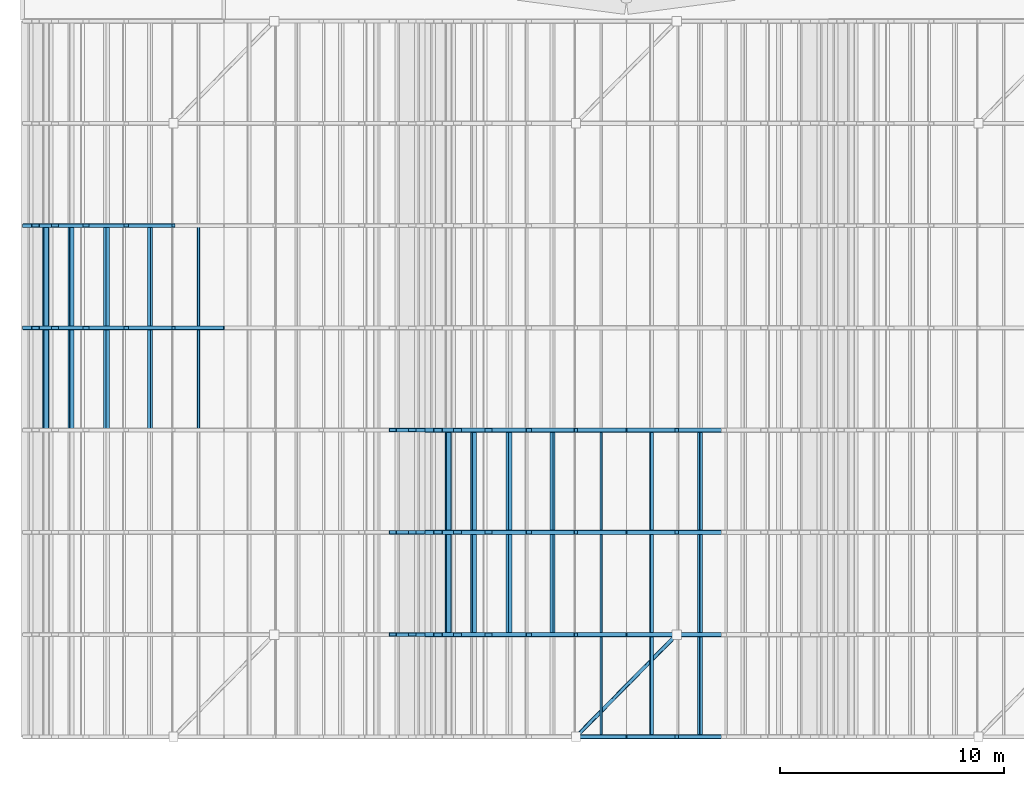
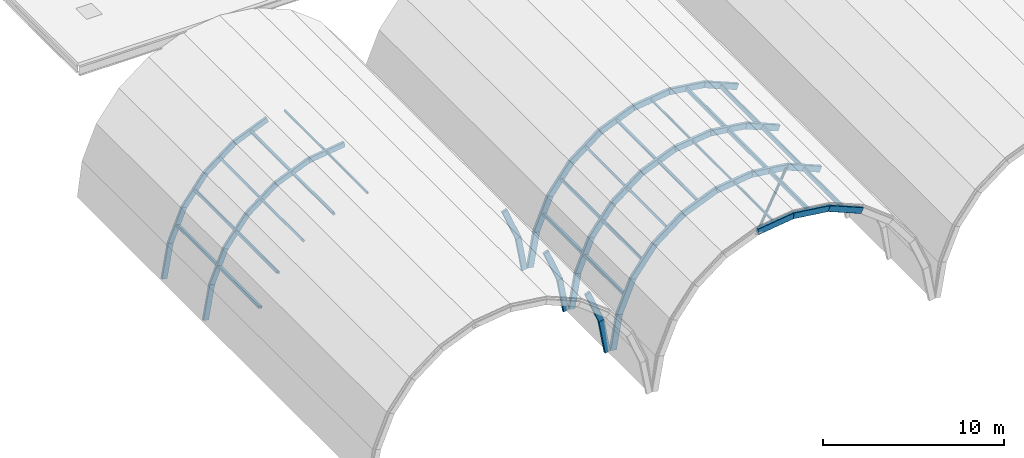
# One storey, part 2 of 25: 72 members.
"""IFC4 building model written with IfcOpenShell, lengths in metres."""

from ifc_helpers import new_model, si_unit, direction, frame, origin, origin_2d, place, context, subcontext, project, spatial, hollow_rectangle, hollow_circle, extrude, material, material_profile, profile_set, type_object, element, save


model = new_model("IFC4")

# Units and contexts
model_context = context("Model", 3, precision=1e-05, world=origin(), true_north=direction((0.0, 1.0)))
body_context = subcontext(model_context, "Body", "Model", "MODEL_VIEW")
ifc_project = project(units=[si_unit("LENGTHUNIT", "METRE"), si_unit("AREAUNIT", "SQUARE_METRE"), si_unit("VOLUMEUNIT", "CUBIC_METRE"), si_unit("PLANEANGLEUNIT", "RADIAN"), si_unit("MASSUNIT", "GRAM", prefix="KILO")], contexts=[model_context])

# Site, building, storey
site_placement = place(None, origin())
site = spatial("IfcSite", under=ifc_project, at=site_placement, CompositionType="ELEMENT")
building_placement = place(site_placement, origin())
building = spatial("IfcBuilding", under=site, at=building_placement, Name="Marnock Terrace Opera House", CompositionType="ELEMENT")
storey_placement = place(building_placement, frame((0.0, 0.0, 28.199951171875)))
storey = spatial("IfcBuildingStorey", under=building, at=storey_placement, Name="RF", CompositionType="ELEMENT", Elevation=28.199951171875)

# Members
ifc_material = material(Name="Cold-formed Steel Grade C350L0 (AS/NZS 1163)", Category="steel")
ifc_material_profile_1 = material_profile(ifc_material, hollow_circle(Radius=0.084228515625, WallThickness=0.007080078125, at=origin_2d()))
ifc_profile_set_1 = profile_set([ifc_material_profile_1], Name="Cold-formed Steel Grade C350L0 (AS/NZS 1163)")
member_type_1 = type_object("IfcMemberType", Name="MEM-BRACE-CHS2", PredefinedType="BRACE", material=ifc_profile_set_1)
member_1_placement = place(storey_placement, frame((79.748291015625, 8.0, -0.596435546875), z_axis=(0.701779574727, 0.712394152486, 0.0), x_axis=(-0.712394152486, 0.701779574727, 0.0)))
element("IfcMember", 1, at=member_1_placement, inside=storey, type_object=member_type_1, Name="Barrel vault 2 roof wind brace", PredefinedType="BRACE", context=body_context, shape_type="SweptSolid", body=[
    extrude(hollow_circle(Radius=0.084228515625, WallThickness=0.007080078125, at=origin_2d()), origin(), (0.0, 0.0, 1.0), 6.417236328125),
])
ifc_material_profile_2 = material_profile(ifc_material, hollow_rectangle(XDim=0.10009765625, YDim=0.14990234375, WallThickness=0.006103515625, InnerFilletRadius=0.006103515625, OuterFilletRadius=0.011962890625, at=origin_2d()))
ifc_profile_set_2 = profile_set([ifc_material_profile_2], Name="Cold-formed Steel Grade C350L0 (AS/NZS 1163)")
member_type_2 = type_object("IfcMemberType", Name="MEM-ROOF-GIRT", PredefinedType="PURLIN", material=ifc_profile_set_2)
member_2_placement = place(storey_placement, frame((62.8681640625, 21.71435546875, -0.402099609375), z_axis=(0.0, 1.0, 0.0), x_axis=(-0.991444861374, 0.0, -0.13052619222)))
element("IfcMember", 2, at=member_2_placement, inside=storey, type_object=member_type_2, Name="Barrel vault 1 bay 4 longitudinal purlin", PredefinedType="PURLIN", context=body_context, shape_type="SweptSolid", body=[
    extrude(hollow_rectangle(XDim=0.10009765625, YDim=0.14990234375, WallThickness=0.006103515625, InnerFilletRadius=0.006103515625, OuterFilletRadius=0.011962890625, at=origin_2d()), origin(), (0.0, 0.0, 1.0), 4.5712890625),
])
for number, where, z_axis, x_axis, name in (
    (3, (62.8681640625, 26.28564453125, -0.402099609375), (0.0, 1.0, 0.0), (-0.991444861374, 0.0, -0.13052619222), "Barrel vault 1 bay 5 longitudinal purlin"),
    (4, (80.8681640625, 8.0, -0.402099609375), (0.0, 1.0, 0.0), (-0.991444861374, 0.0, -0.13052619222), "Barrel vault 2 bay 1 longitudinal purlin"),
):
    element("IfcMember", number, at=place(storey_placement, frame(where, z_axis=z_axis, x_axis=x_axis)), inside=storey, type_object=member_type_2, Name=name, PredefinedType="PURLIN", context=body_context, shape_type="SweptSolid", body=[
        extrude(hollow_rectangle(XDim=0.10009765625, YDim=0.14990234375, WallThickness=0.006103515625, InnerFilletRadius=0.006103515625, OuterFilletRadius=0.011962890625, at=origin_2d()), origin(), (0.0, 0.0, 1.0), 4.571533203125),
    ])
member_3_placement = place(storey_placement, frame((80.8681640625, 12.571533203125, -0.402099609375), z_axis=(0.0, 1.0, 0.0), x_axis=(-0.991444861374, 0.0, -0.13052619222)))
element("IfcMember", 5, at=member_3_placement, inside=storey, type_object=member_type_2, Name="Barrel vault 2 bay 2 longitudinal purlin", PredefinedType="PURLIN", context=body_context, shape_type="SweptSolid", body=[
    extrude(hollow_rectangle(XDim=0.10009765625, YDim=0.14990234375, WallThickness=0.006103515625, InnerFilletRadius=0.006103515625, OuterFilletRadius=0.011962890625, at=origin_2d()), origin(), (0.0, 0.0, 1.0), 4.5712890625),
])
member_4_placement = place(storey_placement, frame((80.8681640625, 17.142822265625, -0.402099609375), z_axis=(0.0, 1.0, 0.0), x_axis=(-0.991444861374, 0.0, -0.13052619222)))
element("IfcMember", 6, at=member_4_placement, inside=storey, type_object=member_type_2, Name="Barrel vault 2 bay 3 longitudinal purlin", PredefinedType="PURLIN", context=body_context, shape_type="SweptSolid", body=[
    extrude(hollow_rectangle(XDim=0.10009765625, YDim=0.14990234375, WallThickness=0.006103515625, InnerFilletRadius=0.006103515625, OuterFilletRadius=0.011962890625, at=origin_2d()), origin(), (0.0, 0.0, 1.0), 4.571533203125),
])
ifc_material_profile_3 = material_profile(ifc_material, hollow_rectangle(XDim=0.199951171875, YDim=0.39990234375, WallThickness=0.012451171875, InnerFilletRadius=0.012451171875, OuterFilletRadius=0.02490234375, at=origin_2d()))
ifc_profile_set_3 = profile_set([ifc_material_profile_3], Name="Cold-formed Steel Grade C350L0 (AS/NZS 1163)")
member_type_3 = type_object("IfcMemberType", Name="MEM-VAULT-ARCH1", PredefinedType="CHORD", material=ifc_profile_set_3)
for number, where, z_axis, x_axis, name in (
    (7, (79.7431640625, 8.0, -0.5771484375), (0.991444801521, 0.0, 0.130526646847), (0.0, 1.0, 0.0), "Barrel vault 2 station 1 arch chord 6"),
    (8, (82.0, 8.0, -0.280029296875), (0.991444801521, 0.0, -0.130526646847), (0.0, 1.0, 0.0), "Barrel vault 2 station 1 arch chord 7"),
):
    element("IfcMember", number, at=place(storey_placement, frame(where, z_axis=z_axis, x_axis=x_axis)), inside=storey, type_object=member_type_3, Name=name, PredefinedType="CHORD", context=body_context, shape_type="SweptSolid", body=[
        extrude(hollow_rectangle(XDim=0.199951171875, YDim=0.39990234375, WallThickness=0.012451171875, InnerFilletRadius=0.012451171875, OuterFilletRadius=0.02490234375, at=origin_2d()), origin(), (0.0, 0.0, 1.0), 2.2763671875),
    ])
member_5_placement = place(storey_placement, frame((84.2568359375, 8.0, -0.5771484375), z_axis=(0.923896587744, 0.0, -0.382642254796), x_axis=(0.0, 1.0, 0.0)))
element("IfcMember", 9, at=member_5_placement, inside=storey, type_object=member_type_3, Name="Barrel vault 2 station 1 arch chord 8", PredefinedType="CHORD", context=body_context, shape_type="SweptSolid", body=[
    extrude(hollow_rectangle(XDim=0.199951171875, YDim=0.39990234375, WallThickness=0.012451171875, InnerFilletRadius=0.012451171875, OuterFilletRadius=0.02490234375, at=origin_2d()), origin(), (0.0, 0.0, 1.0), 2.276611328125),
])
member_6_placement = place(storey_placement, frame((73.179931640625, 12.571533203125, -9.0), z_axis=(0.173341635248, 0.0, 0.984861755522), x_axis=(0.0, 1.0, 0.0)))
element("IfcMember", 10, at=member_6_placement, inside=storey, type_object=member_type_3, Name="Barrel vault 2 station 2 arch chord 1", PredefinedType="CHORD", context=body_context, shape_type="SweptSolid", body=[
    extrude(hollow_rectangle(XDim=0.199951171875, YDim=0.39990234375, WallThickness=0.012451171875, InnerFilletRadius=0.012451171875, OuterFilletRadius=0.02490234375, at=origin_2d()), origin(), (0.0, 0.0, 1.0), 2.29150390625),
])
member_7_placement = place(storey_placement, frame((73.5771484375, 12.571533203125, -6.7431640625), z_axis=(0.382642254796, 0.0, 0.923896587744), x_axis=(0.0, 1.0, 0.0)))
element("IfcMember", 11, at=member_7_placement, inside=storey, type_object=member_type_3, Name="Barrel vault 2 station 2 arch chord 2", PredefinedType="CHORD", context=body_context, shape_type="SweptSolid", body=[
    extrude(hollow_rectangle(XDim=0.199951171875, YDim=0.39990234375, WallThickness=0.012451171875, InnerFilletRadius=0.012451171875, OuterFilletRadius=0.02490234375, at=origin_2d()), origin(), (0.0, 0.0, 1.0), 2.276611328125),
])
for number, where, z_axis, x_axis, name in (
    (12, (74.4482421875, 12.571533203125, -4.639892578125), (0.608766982702, 0.0, 0.793349078761), (0.0, 1.0, 0.0), "Barrel vault 2 station 2 arch chord 3"),
    (13, (75.833984375, 12.571533203125, -2.833984375), (0.793349078761, 0.0, 0.608766982702), (0.0, 1.0, 0.0), "Barrel vault 2 station 2 arch chord 4"),
):
    element("IfcMember", number, at=place(storey_placement, frame(where, z_axis=z_axis, x_axis=x_axis)), inside=storey, type_object=member_type_3, Name=name, PredefinedType="CHORD", context=body_context, shape_type="SweptSolid", body=[
        extrude(hollow_rectangle(XDim=0.199951171875, YDim=0.39990234375, WallThickness=0.012451171875, InnerFilletRadius=0.012451171875, OuterFilletRadius=0.02490234375, at=origin_2d()), origin(), (0.0, 0.0, 1.0), 2.2763671875),
    ])
member_8_placement = place(storey_placement, frame((77.639892578125, 12.571533203125, -1.4482421875), z_axis=(0.923896587744, 0.0, 0.382642254796), x_axis=(0.0, 1.0, 0.0)))
element("IfcMember", 14, at=member_8_placement, inside=storey, type_object=member_type_3, Name="Barrel vault 2 station 2 arch chord 5", PredefinedType="CHORD", context=body_context, shape_type="SweptSolid", body=[
    extrude(hollow_rectangle(XDim=0.199951171875, YDim=0.39990234375, WallThickness=0.012451171875, InnerFilletRadius=0.012451171875, OuterFilletRadius=0.02490234375, at=origin_2d()), origin(), (0.0, 0.0, 1.0), 2.276611328125),
])
for number, where, z_axis, x_axis, name in (
    (15, (79.7431640625, 12.571533203125, -0.5771484375), (0.991444801521, 0.0, 0.130526646847), (0.0, 1.0, 0.0), "Barrel vault 2 station 2 arch chord 6"),
    (16, (82.0, 12.571533203125, -0.280029296875), (0.991444801521, 0.0, -0.130526646847), (0.0, 1.0, 0.0), "Barrel vault 2 station 2 arch chord 7"),
):
    element("IfcMember", number, at=place(storey_placement, frame(where, z_axis=z_axis, x_axis=x_axis)), inside=storey, type_object=member_type_3, Name=name, PredefinedType="CHORD", context=body_context, shape_type="SweptSolid", body=[
        extrude(hollow_rectangle(XDim=0.199951171875, YDim=0.39990234375, WallThickness=0.012451171875, InnerFilletRadius=0.012451171875, OuterFilletRadius=0.02490234375, at=origin_2d()), origin(), (0.0, 0.0, 1.0), 2.2763671875),
    ])
member_9_placement = place(storey_placement, frame((84.2568359375, 12.571533203125, -0.5771484375), z_axis=(0.923896587744, 0.0, -0.382642254796), x_axis=(0.0, 1.0, 0.0)))
element("IfcMember", 17, at=member_9_placement, inside=storey, type_object=member_type_3, Name="Barrel vault 2 station 2 arch chord 8", PredefinedType="CHORD", context=body_context, shape_type="SweptSolid", body=[
    extrude(hollow_rectangle(XDim=0.199951171875, YDim=0.39990234375, WallThickness=0.012451171875, InnerFilletRadius=0.012451171875, OuterFilletRadius=0.02490234375, at=origin_2d()), origin(), (0.0, 0.0, 1.0), 2.276611328125),
])
member_10_placement = place(storey_placement, frame((73.179931640625, 17.142822265625, -9.0), z_axis=(0.173341635248, 0.0, 0.984861755522), x_axis=(0.0, 1.0, 0.0)))
element("IfcMember", 18, at=member_10_placement, inside=storey, type_object=member_type_3, Name="Barrel vault 2 station 3 arch chord 1", PredefinedType="CHORD", context=body_context, shape_type="SweptSolid", body=[
    extrude(hollow_rectangle(XDim=0.199951171875, YDim=0.39990234375, WallThickness=0.012451171875, InnerFilletRadius=0.012451171875, OuterFilletRadius=0.02490234375, at=origin_2d()), origin(), (0.0, 0.0, 1.0), 2.29150390625),
])
member_11_placement = place(storey_placement, frame((73.5771484375, 17.142822265625, -6.7431640625), z_axis=(0.382642254796, 0.0, 0.923896587744), x_axis=(0.0, 1.0, 0.0)))
element("IfcMember", 19, at=member_11_placement, inside=storey, type_object=member_type_3, Name="Barrel vault 2 station 3 arch chord 2", PredefinedType="CHORD", context=body_context, shape_type="SweptSolid", body=[
    extrude(hollow_rectangle(XDim=0.199951171875, YDim=0.39990234375, WallThickness=0.012451171875, InnerFilletRadius=0.012451171875, OuterFilletRadius=0.02490234375, at=origin_2d()), origin(), (0.0, 0.0, 1.0), 2.276611328125),
])
for number, where, z_axis, x_axis, name in (
    (20, (74.4482421875, 17.142822265625, -4.639892578125), (0.608766982702, 0.0, 0.793349078761), (0.0, 1.0, 0.0), "Barrel vault 2 station 3 arch chord 3"),
    (21, (75.833984375, 17.142822265625, -2.833984375), (0.793349078761, 0.0, 0.608766982702), (0.0, 1.0, 0.0), "Barrel vault 2 station 3 arch chord 4"),
):
    element("IfcMember", number, at=place(storey_placement, frame(where, z_axis=z_axis, x_axis=x_axis)), inside=storey, type_object=member_type_3, Name=name, PredefinedType="CHORD", context=body_context, shape_type="SweptSolid", body=[
        extrude(hollow_rectangle(XDim=0.199951171875, YDim=0.39990234375, WallThickness=0.012451171875, InnerFilletRadius=0.012451171875, OuterFilletRadius=0.02490234375, at=origin_2d()), origin(), (0.0, 0.0, 1.0), 2.2763671875),
    ])
member_12_placement = place(storey_placement, frame((77.639892578125, 17.142822265625, -1.4482421875), z_axis=(0.923896587744, 0.0, 0.382642254796), x_axis=(0.0, 1.0, 0.0)))
element("IfcMember", 22, at=member_12_placement, inside=storey, type_object=member_type_3, Name="Barrel vault 2 station 3 arch chord 5", PredefinedType="CHORD", context=body_context, shape_type="SweptSolid", body=[
    extrude(hollow_rectangle(XDim=0.199951171875, YDim=0.39990234375, WallThickness=0.012451171875, InnerFilletRadius=0.012451171875, OuterFilletRadius=0.02490234375, at=origin_2d()), origin(), (0.0, 0.0, 1.0), 2.276611328125),
])
for number, where, z_axis, x_axis, name in (
    (23, (79.7431640625, 17.142822265625, -0.5771484375), (0.991444801521, 0.0, 0.130526646847), (0.0, 1.0, 0.0), "Barrel vault 2 station 3 arch chord 6"),
    (24, (82.0, 17.142822265625, -0.280029296875), (0.991444801521, 0.0, -0.130526646847), (0.0, 1.0, 0.0), "Barrel vault 2 station 3 arch chord 7"),
):
    element("IfcMember", number, at=place(storey_placement, frame(where, z_axis=z_axis, x_axis=x_axis)), inside=storey, type_object=member_type_3, Name=name, PredefinedType="CHORD", context=body_context, shape_type="SweptSolid", body=[
        extrude(hollow_rectangle(XDim=0.199951171875, YDim=0.39990234375, WallThickness=0.012451171875, InnerFilletRadius=0.012451171875, OuterFilletRadius=0.02490234375, at=origin_2d()), origin(), (0.0, 0.0, 1.0), 2.2763671875),
    ])
member_13_placement = place(storey_placement, frame((84.2568359375, 17.142822265625, -0.5771484375), z_axis=(0.923896587744, 0.0, -0.382642254796), x_axis=(0.0, 1.0, 0.0)))
element("IfcMember", 25, at=member_13_placement, inside=storey, type_object=member_type_3, Name="Barrel vault 2 station 3 arch chord 8", PredefinedType="CHORD", context=body_context, shape_type="SweptSolid", body=[
    extrude(hollow_rectangle(XDim=0.199951171875, YDim=0.39990234375, WallThickness=0.012451171875, InnerFilletRadius=0.012451171875, OuterFilletRadius=0.02490234375, at=origin_2d()), origin(), (0.0, 0.0, 1.0), 2.276611328125),
])
member_14_placement = place(storey_placement, frame((73.179931640625, 21.71435546875, -9.0), z_axis=(0.173341635248, 0.0, 0.984861755522), x_axis=(0.0, 1.0, 0.0)))
element("IfcMember", 26, at=member_14_placement, inside=storey, type_object=member_type_3, Name="Barrel vault 2 station 4 arch chord 1", PredefinedType="CHORD", context=body_context, shape_type="SweptSolid", body=[
    extrude(hollow_rectangle(XDim=0.199951171875, YDim=0.39990234375, WallThickness=0.012451171875, InnerFilletRadius=0.012451171875, OuterFilletRadius=0.02490234375, at=origin_2d()), origin(), (0.0, 0.0, 1.0), 2.29150390625),
])
member_15_placement = place(storey_placement, frame((73.5771484375, 21.71435546875, -6.7431640625), z_axis=(0.382642254796, 0.0, 0.923896587744), x_axis=(0.0, 1.0, 0.0)))
element("IfcMember", 27, at=member_15_placement, inside=storey, type_object=member_type_3, Name="Barrel vault 2 station 4 arch chord 2", PredefinedType="CHORD", context=body_context, shape_type="SweptSolid", body=[
    extrude(hollow_rectangle(XDim=0.199951171875, YDim=0.39990234375, WallThickness=0.012451171875, InnerFilletRadius=0.012451171875, OuterFilletRadius=0.02490234375, at=origin_2d()), origin(), (0.0, 0.0, 1.0), 2.276611328125),
])
for number, where, z_axis, x_axis, name in (
    (28, (74.4482421875, 21.71435546875, -4.639892578125), (0.608766982702, 0.0, 0.793349078761), (0.0, 1.0, 0.0), "Barrel vault 2 station 4 arch chord 3"),
    (29, (75.833984375, 21.71435546875, -2.833984375), (0.793349078761, 0.0, 0.608766982702), (0.0, 1.0, 0.0), "Barrel vault 2 station 4 arch chord 4"),
):
    element("IfcMember", number, at=place(storey_placement, frame(where, z_axis=z_axis, x_axis=x_axis)), inside=storey, type_object=member_type_3, Name=name, PredefinedType="CHORD", context=body_context, shape_type="SweptSolid", body=[
        extrude(hollow_rectangle(XDim=0.199951171875, YDim=0.39990234375, WallThickness=0.012451171875, InnerFilletRadius=0.012451171875, OuterFilletRadius=0.02490234375, at=origin_2d()), origin(), (0.0, 0.0, 1.0), 2.2763671875),
    ])
member_16_placement = place(storey_placement, frame((77.639892578125, 21.71435546875, -1.4482421875), z_axis=(0.923896587744, 0.0, 0.382642254796), x_axis=(0.0, 1.0, 0.0)))
element("IfcMember", 30, at=member_16_placement, inside=storey, type_object=member_type_3, Name="Barrel vault 2 station 4 arch chord 5", PredefinedType="CHORD", context=body_context, shape_type="SweptSolid", body=[
    extrude(hollow_rectangle(XDim=0.199951171875, YDim=0.39990234375, WallThickness=0.012451171875, InnerFilletRadius=0.012451171875, OuterFilletRadius=0.02490234375, at=origin_2d()), origin(), (0.0, 0.0, 1.0), 2.276611328125),
])
for number, where, z_axis, x_axis, name in (
    (31, (79.7431640625, 21.71435546875, -0.5771484375), (0.991444801521, 0.0, 0.130526646847), (0.0, 1.0, 0.0), "Barrel vault 2 station 4 arch chord 6"),
    (32, (82.0, 21.71435546875, -0.280029296875), (0.991444801521, 0.0, -0.130526646847), (0.0, 1.0, 0.0), "Barrel vault 2 station 4 arch chord 7"),
):
    element("IfcMember", number, at=place(storey_placement, frame(where, z_axis=z_axis, x_axis=x_axis)), inside=storey, type_object=member_type_3, Name=name, PredefinedType="CHORD", context=body_context, shape_type="SweptSolid", body=[
        extrude(hollow_rectangle(XDim=0.199951171875, YDim=0.39990234375, WallThickness=0.012451171875, InnerFilletRadius=0.012451171875, OuterFilletRadius=0.02490234375, at=origin_2d()), origin(), (0.0, 0.0, 1.0), 2.2763671875),
    ])
member_17_placement = place(storey_placement, frame((84.2568359375, 21.71435546875, -0.5771484375), z_axis=(0.923896587744, 0.0, -0.382642254796), x_axis=(0.0, 1.0, 0.0)))
element("IfcMember", 33, at=member_17_placement, inside=storey, type_object=member_type_3, Name="Barrel vault 2 station 4 arch chord 8", PredefinedType="CHORD", context=body_context, shape_type="SweptSolid", body=[
    extrude(hollow_rectangle(XDim=0.199951171875, YDim=0.39990234375, WallThickness=0.012451171875, InnerFilletRadius=0.012451171875, OuterFilletRadius=0.02490234375, at=origin_2d()), origin(), (0.0, 0.0, 1.0), 2.276611328125),
])
ifc_material_profile_4 = material_profile(ifc_material, hollow_rectangle(XDim=0.175048828125, YDim=0.35009765625, WallThickness=0.010009765625, InnerFilletRadius=0.010009765625, OuterFilletRadius=0.02001953125, at=origin_2d()))
ifc_profile_set_4 = profile_set([ifc_material_profile_4], Name="Cold-formed Steel Grade C350L0 (AS/NZS 1163)")
member_type_4 = type_object("IfcMemberType", Name="MEM-VAULT-ARCH2", PredefinedType="CHORD", material=ifc_profile_set_4)
member_18_placement = place(storey_placement, frame((71.5517578125, 12.571533203125, -4.639892578125), z_axis=(0.382642254796, 0.0, -0.923896587744), x_axis=(0.0, 1.0, 0.0)))
element("IfcMember", 34, at=member_18_placement, inside=storey, type_object=member_type_4, Name="Barrel vault 1 station 2 arch chord 11", PredefinedType="CHORD", context=body_context, shape_type="SweptSolid", body=[
    extrude(hollow_rectangle(XDim=0.175048828125, YDim=0.35009765625, WallThickness=0.010009765625, InnerFilletRadius=0.010009765625, OuterFilletRadius=0.02001953125, at=origin_2d()), origin(), (0.0, 0.0, 1.0), 2.276611328125),
])
member_19_placement = place(storey_placement, frame((72.4228515625, 12.571533203125, -6.7431640625), z_axis=(0.173341635248, 0.0, -0.984861755522), x_axis=(0.0, 1.0, 0.0)))
element("IfcMember", 35, at=member_19_placement, inside=storey, type_object=member_type_4, Name="Barrel vault 1 station 2 arch chord 12", PredefinedType="CHORD", context=body_context, shape_type="SweptSolid", body=[
    extrude(hollow_rectangle(XDim=0.175048828125, YDim=0.35009765625, WallThickness=0.010009765625, InnerFilletRadius=0.010009765625, OuterFilletRadius=0.02001953125, at=origin_2d()), origin(), (0.0, 0.0, 1.0), 2.29150390625),
])
member_20_placement = place(storey_placement, frame((71.5517578125, 17.142822265625, -4.639892578125), z_axis=(0.382642254796, 0.0, -0.923896587744), x_axis=(0.0, 1.0, 0.0)))
element("IfcMember", 36, at=member_20_placement, inside=storey, type_object=member_type_4, Name="Barrel vault 1 station 3 arch chord 11", PredefinedType="CHORD", context=body_context, shape_type="SweptSolid", body=[
    extrude(hollow_rectangle(XDim=0.175048828125, YDim=0.35009765625, WallThickness=0.010009765625, InnerFilletRadius=0.010009765625, OuterFilletRadius=0.02001953125, at=origin_2d()), origin(), (0.0, 0.0, 1.0), 2.276611328125),
])
member_21_placement = place(storey_placement, frame((72.4228515625, 17.142822265625, -6.7431640625), z_axis=(0.173341635248, 0.0, -0.984861755522), x_axis=(0.0, 1.0, 0.0)))
element("IfcMember", 37, at=member_21_placement, inside=storey, type_object=member_type_4, Name="Barrel vault 1 station 3 arch chord 12", PredefinedType="CHORD", context=body_context, shape_type="SweptSolid", body=[
    extrude(hollow_rectangle(XDim=0.175048828125, YDim=0.35009765625, WallThickness=0.010009765625, InnerFilletRadius=0.010009765625, OuterFilletRadius=0.02001953125, at=origin_2d()), origin(), (0.0, 0.0, 1.0), 2.29150390625),
])
member_22_placement = place(storey_placement, frame((71.5517578125, 21.71435546875, -4.639892578125), z_axis=(0.382642254796, 0.0, -0.923896587744), x_axis=(0.0, 1.0, 0.0)))
element("IfcMember", 38, at=member_22_placement, inside=storey, type_object=member_type_4, Name="Barrel vault 1 station 4 arch chord 11", PredefinedType="CHORD", context=body_context, shape_type="SweptSolid", body=[
    extrude(hollow_rectangle(XDim=0.175048828125, YDim=0.35009765625, WallThickness=0.010009765625, InnerFilletRadius=0.010009765625, OuterFilletRadius=0.02001953125, at=origin_2d()), origin(), (0.0, 0.0, 1.0), 2.276611328125),
])
for number, where, z_axis, x_axis, name in (
    (39, (72.4228515625, 21.71435546875, -6.7431640625), (0.173341635248, 0.0, -0.984861755522), (0.0, 1.0, 0.0), "Barrel vault 1 station 4 arch chord 12"),
    (40, (55.179931640625, 26.28564453125, -9.0), (0.173341635248, 0.0, 0.984861755522), (0.0, 1.0, 0.0), "Barrel vault 1 station 5 arch chord 1"),
):
    element("IfcMember", number, at=place(storey_placement, frame(where, z_axis=z_axis, x_axis=x_axis)), inside=storey, type_object=member_type_4, Name=name, PredefinedType="CHORD", context=body_context, shape_type="SweptSolid", body=[
        extrude(hollow_rectangle(XDim=0.175048828125, YDim=0.35009765625, WallThickness=0.010009765625, InnerFilletRadius=0.010009765625, OuterFilletRadius=0.02001953125, at=origin_2d()), origin(), (0.0, 0.0, 1.0), 2.29150390625),
    ])
member_23_placement = place(storey_placement, frame((55.5771484375, 26.28564453125, -6.7431640625), z_axis=(0.382642254796, 0.0, 0.923896587744), x_axis=(0.0, 1.0, 0.0)))
element("IfcMember", 41, at=member_23_placement, inside=storey, type_object=member_type_4, Name="Barrel vault 1 station 5 arch chord 2", PredefinedType="CHORD", context=body_context, shape_type="SweptSolid", body=[
    extrude(hollow_rectangle(XDim=0.175048828125, YDim=0.35009765625, WallThickness=0.010009765625, InnerFilletRadius=0.010009765625, OuterFilletRadius=0.02001953125, at=origin_2d()), origin(), (0.0, 0.0, 1.0), 2.276611328125),
])
for number, where, z_axis, x_axis, name in (
    (42, (56.4482421875, 26.28564453125, -4.639892578125), (0.608766982702, 0.0, 0.793349078761), (0.0, 1.0, 0.0), "Barrel vault 1 station 5 arch chord 3"),
    (43, (57.833984375, 26.28564453125, -2.833984375), (0.793349078761, 0.0, 0.608766982702), (0.0, 1.0, 0.0), "Barrel vault 1 station 5 arch chord 4"),
):
    element("IfcMember", number, at=place(storey_placement, frame(where, z_axis=z_axis, x_axis=x_axis)), inside=storey, type_object=member_type_4, Name=name, PredefinedType="CHORD", context=body_context, shape_type="SweptSolid", body=[
        extrude(hollow_rectangle(XDim=0.175048828125, YDim=0.35009765625, WallThickness=0.010009765625, InnerFilletRadius=0.010009765625, OuterFilletRadius=0.02001953125, at=origin_2d()), origin(), (0.0, 0.0, 1.0), 2.2763671875),
    ])
member_24_placement = place(storey_placement, frame((59.639892578125, 26.28564453125, -1.4482421875), z_axis=(0.923896587744, 0.0, 0.382642254796), x_axis=(0.0, 1.0, 0.0)))
element("IfcMember", 44, at=member_24_placement, inside=storey, type_object=member_type_4, Name="Barrel vault 1 station 5 arch chord 5", PredefinedType="CHORD", context=body_context, shape_type="SweptSolid", body=[
    extrude(hollow_rectangle(XDim=0.175048828125, YDim=0.35009765625, WallThickness=0.010009765625, InnerFilletRadius=0.010009765625, OuterFilletRadius=0.02001953125, at=origin_2d()), origin(), (0.0, 0.0, 1.0), 2.276611328125),
])
member_25_placement = place(storey_placement, frame((61.7431640625, 26.28564453125, -0.5771484375), z_axis=(0.991444801521, 0.0, 0.130526646847), x_axis=(0.0, 1.0, 0.0)))
element("IfcMember", 45, at=member_25_placement, inside=storey, type_object=member_type_4, Name="Barrel vault 1 station 5 arch chord 6", PredefinedType="CHORD", context=body_context, shape_type="SweptSolid", body=[
    extrude(hollow_rectangle(XDim=0.175048828125, YDim=0.35009765625, WallThickness=0.010009765625, InnerFilletRadius=0.010009765625, OuterFilletRadius=0.02001953125, at=origin_2d()), origin(), (0.0, 0.0, 1.0), 2.2763671875),
])
member_26_placement = place(storey_placement, frame((55.179931640625, 30.857177734375, -9.0), z_axis=(0.173341635248, 0.0, 0.984861755522), x_axis=(0.0, 1.0, 0.0)))
element("IfcMember", 46, at=member_26_placement, inside=storey, type_object=member_type_4, Name="Barrel vault 1 station 6 arch chord 1", PredefinedType="CHORD", context=body_context, shape_type="SweptSolid", body=[
    extrude(hollow_rectangle(XDim=0.175048828125, YDim=0.35009765625, WallThickness=0.010009765625, InnerFilletRadius=0.010009765625, OuterFilletRadius=0.02001953125, at=origin_2d()), origin(), (0.0, 0.0, 1.0), 2.29150390625),
])
member_27_placement = place(storey_placement, frame((55.5771484375, 30.857177734375, -6.7431640625), z_axis=(0.382642254796, 0.0, 0.923896587744), x_axis=(0.0, 1.0, 0.0)))
element("IfcMember", 47, at=member_27_placement, inside=storey, type_object=member_type_4, Name="Barrel vault 1 station 6 arch chord 2", PredefinedType="CHORD", context=body_context, shape_type="SweptSolid", body=[
    extrude(hollow_rectangle(XDim=0.175048828125, YDim=0.35009765625, WallThickness=0.010009765625, InnerFilletRadius=0.010009765625, OuterFilletRadius=0.02001953125, at=origin_2d()), origin(), (0.0, 0.0, 1.0), 2.276611328125),
])
for number, where, z_axis, x_axis, name in (
    (48, (56.4482421875, 30.857177734375, -4.639892578125), (0.608766982702, 0.0, 0.793349078761), (0.0, 1.0, 0.0), "Barrel vault 1 station 6 arch chord 3"),
    (49, (57.833984375, 30.857177734375, -2.833984375), (0.793349078761, 0.0, 0.608766982702), (0.0, 1.0, 0.0), "Barrel vault 1 station 6 arch chord 4"),
):
    element("IfcMember", number, at=place(storey_placement, frame(where, z_axis=z_axis, x_axis=x_axis)), inside=storey, type_object=member_type_4, Name=name, PredefinedType="CHORD", context=body_context, shape_type="SweptSolid", body=[
        extrude(hollow_rectangle(XDim=0.175048828125, YDim=0.35009765625, WallThickness=0.010009765625, InnerFilletRadius=0.010009765625, OuterFilletRadius=0.02001953125, at=origin_2d()), origin(), (0.0, 0.0, 1.0), 2.2763671875),
    ])
member_28_placement = place(storey_placement, frame((59.639892578125, 30.857177734375, -1.4482421875), z_axis=(0.923896587744, 0.0, 0.382642254796), x_axis=(0.0, 1.0, 0.0)))
element("IfcMember", 50, at=member_28_placement, inside=storey, type_object=member_type_4, Name="Barrel vault 1 station 6 arch chord 5", PredefinedType="CHORD", context=body_context, shape_type="SweptSolid", body=[
    extrude(hollow_rectangle(XDim=0.175048828125, YDim=0.35009765625, WallThickness=0.010009765625, InnerFilletRadius=0.010009765625, OuterFilletRadius=0.02001953125, at=origin_2d()), origin(), (0.0, 0.0, 1.0), 2.276611328125),
])
ifc_material_profile_5 = material_profile(ifc_material, hollow_rectangle(XDim=0.14990234375, YDim=0.25, WallThickness=0.009033203125, InnerFilletRadius=0.009033203125, OuterFilletRadius=0.01806640625, at=origin_2d()))
ifc_profile_set_5 = profile_set([ifc_material_profile_5], Name="Cold-formed Steel Grade C350L0 (AS/NZS 1163)")
member_type_5 = type_object("IfcMemberType", Name="MEM-VAULT-PURL", PredefinedType="PURLIN", material=ifc_profile_set_5)
for number, where, z_axis, x_axis, name in (
    (51, (56.034423828125, 21.71435546875, -5.700439453125), (0.0, 1.0, 0.0), (-0.382683432365, 0.0, -0.923879532511), "Barrel vault 1 bay 4 longitudinal purlin"),
    (52, (57.15966796875, 21.71435546875, -3.751220703125), (0.0, 1.0, 0.0), (-0.608761429009, 0.0, -0.793353340291), "Barrel vault 1 bay 4 longitudinal purlin"),
    (53, (58.751220703125, 21.71435546875, -2.15966796875), (0.0, 1.0, 0.0), (-0.793353340291, 0.0, -0.608761429009), "Barrel vault 1 bay 4 longitudinal purlin"),
    (54, (60.700439453125, 21.71435546875, -1.0341796875), (0.0, 1.0, 0.0), (-0.923879532511, 0.0, -0.382683432365), "Barrel vault 1 bay 4 longitudinal purlin"),
):
    element("IfcMember", number, at=place(storey_placement, frame(where, z_axis=z_axis, x_axis=x_axis)), inside=storey, type_object=member_type_5, Name=name, PredefinedType="PURLIN", context=body_context, shape_type="SweptSolid", body=[
        extrude(hollow_rectangle(XDim=0.14990234375, YDim=0.25, WallThickness=0.009033203125, InnerFilletRadius=0.009033203125, OuterFilletRadius=0.01806640625, at=origin_2d()), origin(), (0.0, 0.0, 1.0), 4.5712890625),
    ])
for number, where, z_axis, x_axis, name in (
    (55, (56.034423828125, 26.28564453125, -5.700439453125), (0.0, 1.0, 0.0), (-0.382683432365, 0.0, -0.923879532511), "Barrel vault 1 bay 5 longitudinal purlin"),
    (56, (57.15966796875, 26.28564453125, -3.751220703125), (0.0, 1.0, 0.0), (-0.608761429009, 0.0, -0.793353340291), "Barrel vault 1 bay 5 longitudinal purlin"),
    (57, (58.751220703125, 26.28564453125, -2.15966796875), (0.0, 1.0, 0.0), (-0.793353340291, 0.0, -0.608761429009), "Barrel vault 1 bay 5 longitudinal purlin"),
    (58, (60.700439453125, 26.28564453125, -1.0341796875), (0.0, 1.0, 0.0), (-0.923879532511, 0.0, -0.382683432365), "Barrel vault 1 bay 5 longitudinal purlin"),
    (59, (83.12548828125, 8.0, -0.45166015625), (0.0, 1.0, 0.0), (-0.991444861374, 0.0, 0.13052619222), "Barrel vault 2 bay 1 longitudinal purlin"),
    (60, (85.299560546875, 8.0, -1.0341796875), (0.0, 1.0, 0.0), (-0.923879532511, 0.0, 0.382683432365), "Barrel vault 2 bay 1 longitudinal purlin"),
):
    element("IfcMember", number, at=place(storey_placement, frame(where, z_axis=z_axis, x_axis=x_axis)), inside=storey, type_object=member_type_5, Name=name, PredefinedType="PURLIN", context=body_context, shape_type="SweptSolid", body=[
        extrude(hollow_rectangle(XDim=0.14990234375, YDim=0.25, WallThickness=0.009033203125, InnerFilletRadius=0.009033203125, OuterFilletRadius=0.01806640625, at=origin_2d()), origin(), (0.0, 0.0, 1.0), 4.571533203125),
    ])
for number, where, z_axis, x_axis, name in (
    (61, (74.034423828125, 12.571533203125, -5.700439453125), (0.0, 1.0, 0.0), (-0.382683432365, 0.0, -0.923879532511), "Barrel vault 2 bay 2 longitudinal purlin"),
    (62, (75.15966796875, 12.571533203125, -3.751220703125), (0.0, 1.0, 0.0), (-0.608761429009, 0.0, -0.793353340291), "Barrel vault 2 bay 2 longitudinal purlin"),
    (63, (76.751220703125, 12.571533203125, -2.15966796875), (0.0, 1.0, 0.0), (-0.793353340291, 0.0, -0.608761429009), "Barrel vault 2 bay 2 longitudinal purlin"),
    (64, (78.700439453125, 12.571533203125, -1.0341796875), (0.0, 1.0, 0.0), (-0.923879532511, 0.0, -0.382683432365), "Barrel vault 2 bay 2 longitudinal purlin"),
    (65, (83.12548828125, 12.571533203125, -0.45166015625), (0.0, 1.0, 0.0), (-0.991444861374, 0.0, 0.13052619222), "Barrel vault 2 bay 2 longitudinal purlin"),
    (66, (85.299560546875, 12.571533203125, -1.0341796875), (0.0, 1.0, 0.0), (-0.923879532511, 0.0, 0.382683432365), "Barrel vault 2 bay 2 longitudinal purlin"),
):
    element("IfcMember", number, at=place(storey_placement, frame(where, z_axis=z_axis, x_axis=x_axis)), inside=storey, type_object=member_type_5, Name=name, PredefinedType="PURLIN", context=body_context, shape_type="SweptSolid", body=[
        extrude(hollow_rectangle(XDim=0.14990234375, YDim=0.25, WallThickness=0.009033203125, InnerFilletRadius=0.009033203125, OuterFilletRadius=0.01806640625, at=origin_2d()), origin(), (0.0, 0.0, 1.0), 4.5712890625),
    ])
for number, where, z_axis, x_axis, name in (
    (67, (74.034423828125, 17.142822265625, -5.700439453125), (0.0, 1.0, 0.0), (-0.382683432365, 0.0, -0.923879532511), "Barrel vault 2 bay 3 longitudinal purlin"),
    (68, (75.15966796875, 17.142822265625, -3.751220703125), (0.0, 1.0, 0.0), (-0.608761429009, 0.0, -0.793353340291), "Barrel vault 2 bay 3 longitudinal purlin"),
    (69, (76.751220703125, 17.142822265625, -2.15966796875), (0.0, 1.0, 0.0), (-0.793353340291, 0.0, -0.608761429009), "Barrel vault 2 bay 3 longitudinal purlin"),
    (70, (78.700439453125, 17.142822265625, -1.0341796875), (0.0, 1.0, 0.0), (-0.923879532511, 0.0, -0.382683432365), "Barrel vault 2 bay 3 longitudinal purlin"),
    (71, (83.12548828125, 17.142822265625, -0.45166015625), (0.0, 1.0, 0.0), (-0.991444861374, 0.0, 0.13052619222), "Barrel vault 2 bay 3 longitudinal purlin"),
    (72, (85.299560546875, 17.142822265625, -1.0341796875), (0.0, 1.0, 0.0), (-0.923879532511, 0.0, 0.382683432365), "Barrel vault 2 bay 3 longitudinal purlin"),
):
    element("IfcMember", number, at=place(storey_placement, frame(where, z_axis=z_axis, x_axis=x_axis)), inside=storey, type_object=member_type_5, Name=name, PredefinedType="PURLIN", context=body_context, shape_type="SweptSolid", body=[
        extrude(hollow_rectangle(XDim=0.14990234375, YDim=0.25, WallThickness=0.009033203125, InnerFilletRadius=0.009033203125, OuterFilletRadius=0.01806640625, at=origin_2d()), origin(), (0.0, 0.0, 1.0), 4.571533203125),
    ])

save(model, "model.ifc")
